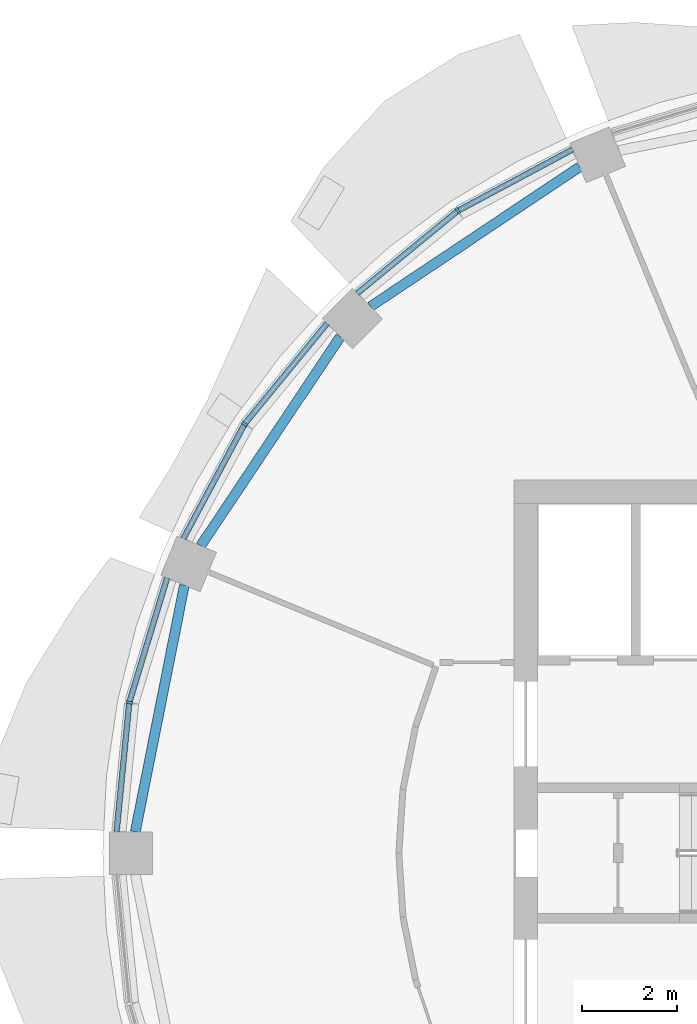
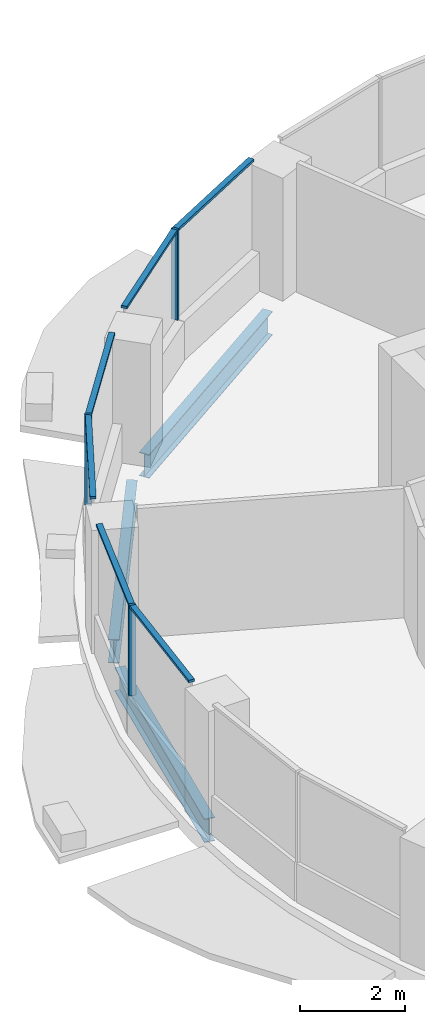
# One storey, part 4 of 15: 9 members, 3 beams, 3 elements without a shape of their own.
"""IFC4 building model written with IfcOpenShell, lengths in metres."""

from ifc_helpers import new_model, si_unit, direction, frame, origin, origin_2d, place, context, subcontext, project, spatial, rectangle, i_section, extrude, material, material_profile, profile_set, type_object, element, aggregate, save


model = new_model("IFC4")

# Units and contexts
model_context = context("Model", 3, precision=1e-05, world=origin(), true_north=direction((0.0, 1.0)))
body_context = subcontext(model_context, "Body", "Model", "MODEL_VIEW")
ifc_project = project(units=[si_unit("LENGTHUNIT", "METRE"), si_unit("AREAUNIT", "SQUARE_METRE"), si_unit("VOLUMEUNIT", "CUBIC_METRE"), si_unit("PLANEANGLEUNIT", "RADIAN"), si_unit("MASSUNIT", "GRAM", prefix="KILO")], contexts=[model_context])

# Site, building, storey
site_placement = place(None, origin())
site = spatial("IfcSite", under=ifc_project, at=site_placement, CompositionType="ELEMENT")
building_placement = place(site_placement, origin())
building = spatial("IfcBuilding", under=site, at=building_placement, Name="Polderwave Tower", CompositionType="ELEMENT")
storey_placement = place(building_placement, frame((0.0, 0.0, 211.10009765625)))
storey = spatial("IfcBuildingStorey", under=building, at=storey_placement, Name="L57", CompositionType="ELEMENT", Elevation=211.10009765625)

# Curtain wall, member
ifc_material_1 = material(Name="Aluminium 6063-T6 and glass", Category="aluminium")
curtain_wall_type = type_object("IfcCurtainWallType", Name="Office ribbon glazing wall", PredefinedType="NOTDEFINED", material=ifc_material_1)
curtain_wall_1_placement = place(storey_placement, origin())
curtain_wall_1 = element("IfcCurtainWall", 1, at=curtain_wall_1_placement, inside=storey, type_object=curtain_wall_type, Name="CW3 L57 05", PredefinedType="NOTDEFINED")
ifc_material_2 = material(Name="Aluminium 6063-T6", Category="aluminium")
ifc_material_profile_1 = material_profile(ifc_material_2, rectangle(XDim=0.139892578125, YDim=0.054931640625, at=origin_2d()), Name="AL 55x140")
ifc_profile_set_1 = profile_set([ifc_material_profile_1], Name="Aluminium 6063-T6")
member_type_1 = type_object("IfcMemberType", Name="Office ribbon glazing mullion 55x140", PredefinedType="MULLION", material=ifc_profile_set_1)
member_1_placement = place(storey_placement, frame((-9.055908203125, 13.552978515625, 0.89990234375), z_axis=(0.0, 0.0, 1.0), x_axis=(0.555592000653, -0.831455067223, 0.0)))
member_1 = element("IfcMember", 2, at=member_1_placement, type_object=member_type_1, Name="CW3 mullion 1", PredefinedType="MULLION", context=body_context, shape_type="SweptSolid", body=[
    extrude(rectangle(XDim=0.139892578125, YDim=0.054931640625, at=origin_2d()), origin(), (0.0, 0.0, 1.0), 2.10009765625),
])

curtain_wall_2_placement = place(storey_placement, origin())
curtain_wall_2 = element("IfcCurtainWall", 3, at=curtain_wall_2_placement, inside=storey, type_object=curtain_wall_type, Name="CW3 L57 06", PredefinedType="NOTDEFINED")
member_2_placement = place(storey_placement, frame((-13.552978515625, 9.055908203125, 0.89990234375), z_axis=(0.0, 0.0, 1.0), x_axis=(0.831455067223, -0.555592000653, 0.0)))
member_2 = element("IfcMember", 4, at=member_2_placement, type_object=member_type_1, Name="CW3 mullion 1", PredefinedType="MULLION", context=body_context, shape_type="SweptSolid", body=[
    extrude(rectangle(XDim=0.139892578125, YDim=0.054931640625, at=origin_2d()), origin(), (0.0, 0.0, 1.0), 2.10009765625),
])

curtain_wall_3_placement = place(storey_placement, origin())
curtain_wall_3 = element("IfcCurtainWall", 5, at=curtain_wall_3_placement, inside=storey, type_object=curtain_wall_type, Name="CW3 L57 07", PredefinedType="NOTDEFINED")
member_3_placement = place(storey_placement, frame((-15.987060546875, 3.179931640625, 0.89990234375), z_axis=(0.0, 0.0, 1.0), x_axis=(0.980756668128, -0.195234110551, 0.0)))
member_3 = element("IfcMember", 6, at=member_3_placement, type_object=member_type_1, Name="CW3 mullion 1", PredefinedType="MULLION", context=body_context, shape_type="SweptSolid", body=[
    extrude(rectangle(XDim=0.139892578125, YDim=0.054931640625, at=origin_2d()), origin(), (0.0, 0.0, 1.0), 2.10009765625),
])

# Member
ifc_material_profile_2 = material_profile(ifc_material_2, rectangle(XDim=0.1201171875, YDim=0.06005859375, at=origin_2d()), Name="AL 60x120")
ifc_profile_set_2 = profile_set([ifc_material_profile_2], Name="Aluminium 6063-T6")
member_type_2 = type_object("IfcMemberType", Name="Office ribbon glazing transom 60x120", PredefinedType="USERDEFINED", material=ifc_profile_set_2)
member_4_placement = place(storey_placement, frame((-6.636962890625, 14.845947265625, 2.969970703125), z_axis=(-0.88192200192, -0.471395356924, 0.0), x_axis=(0.471395356924, -0.88192200192, 0.0)))
member_4 = element("IfcMember", 7, at=member_4_placement, type_object=member_type_2, Name="CW3 transom 1", ObjectType="TRANSOM", PredefinedType="USERDEFINED", context=body_context, shape_type="SweptSolid", body=[
    extrude(rectangle(XDim=0.1201171875, YDim=0.06005859375, at=origin_2d()), origin(), (0.0, 0.0, 1.0), 2.71533203125),
])

member_5_placement = place(storey_placement, frame((-9.077392578125, 13.53564453125, 2.969970703125), z_axis=(-0.772946726022, -0.634470928201, 0.0), x_axis=(0.634470928201, -0.772946726022, 0.0)))
member_5 = element("IfcMember", 8, at=member_5_placement, type_object=member_type_2, Name="CW3 transom 2", ObjectType="TRANSOM", PredefinedType="USERDEFINED", context=body_context, shape_type="SweptSolid", body=[
    extrude(rectangle(XDim=0.1201171875, YDim=0.06005859375, at=origin_2d()), origin(), (0.0, 0.0, 1.0), 2.715087890625),
])

aggregate(curtain_wall_1, [member_1, member_4, member_5])

member_6_placement = place(storey_placement, frame((-11.81298828125, 11.176025390625, 2.969970703125), z_axis=(-0.634470928201, -0.772946726022, 0.0), x_axis=(0.772946726022, -0.634470928201, 0.0)))
member_6 = element("IfcMember", 9, at=member_6_placement, type_object=member_type_2, Name="CW3 transom 1", ObjectType="TRANSOM", PredefinedType="USERDEFINED", context=body_context, shape_type="SweptSolid", body=[
    extrude(rectangle(XDim=0.1201171875, YDim=0.06005859375, at=origin_2d()), origin(), (0.0, 0.0, 1.0), 2.715087890625),
])

member_7_placement = place(storey_placement, frame((-13.56591796875, 9.03173828125, 2.969970703125), z_axis=(-0.471395356924, -0.88192200192, 0.0), x_axis=(0.88192200192, -0.471395356924, 0.0)))
member_7 = element("IfcMember", 10, at=member_7_placement, type_object=member_type_2, Name="CW3 transom 2", ObjectType="TRANSOM", PredefinedType="USERDEFINED", context=body_context, shape_type="SweptSolid", body=[
    extrude(rectangle(XDim=0.1201171875, YDim=0.06005859375, at=origin_2d()), origin(), (0.0, 0.0, 1.0), 2.71533203125),
])

aggregate(curtain_wall_2, [member_2, member_6, member_7])

member_8_placement = place(storey_placement, frame((-15.18994140625, 5.804931640625, 2.969970703125), z_axis=(-0.290546276121, -0.956860941533, 0.0), x_axis=(0.956860941533, -0.290546276121, 0.0)))
member_8 = element("IfcMember", 11, at=member_8_placement, type_object=member_type_2, Name="CW3 transom 1", ObjectType="TRANSOM", PredefinedType="USERDEFINED", context=body_context, shape_type="SweptSolid", body=[
    extrude(rectangle(XDim=0.1201171875, YDim=0.06005859375, at=origin_2d()), origin(), (0.0, 0.0, 1.0), 2.7158203125),
])

member_9_placement = place(storey_placement, frame((-15.98974609375, 3.152587890625, 2.969970703125), z_axis=(-0.09807947932, -0.995178584846, 0.0), x_axis=(0.995178584846, -0.09807947932, 0.0)))
member_9 = element("IfcMember", 12, at=member_9_placement, type_object=member_type_2, Name="CW3 transom 2", ObjectType="TRANSOM", PredefinedType="USERDEFINED", context=body_context, shape_type="SweptSolid", body=[
    extrude(rectangle(XDim=0.1201171875, YDim=0.06005859375, at=origin_2d()), origin(), (0.0, 0.0, 1.0), 2.7158203125),
])

aggregate(curtain_wall_3, [member_3, member_8, member_9])

# Beams
ifc_material_3 = material(Name="Steel S355", Category="steel")
ifc_material_profile_3 = material_profile(ifc_material_3, i_section(OverallWidth=0.2099609375, OverallDepth=0.550048828125, WebThickness=0.010986328125, FlangeThickness=0.01708984375, at=origin_2d()), Name="IPE 550")
ifc_profile_set_3 = profile_set([ifc_material_profile_3], Name="Steel S355")
beam_type = type_object("IfcBeamType", Name="RING BEAM IPE 550", PredefinedType="BEAM", material=ifc_profile_set_3)
for number, where, z_axis, x_axis, name in (
    (13, (-6.4853515625, 14.48095703125, -0.625), (-0.831469356963, -0.555570615162, 0.0), (0.555570615162, -0.831469356963, 0.0), "ST-RB-L57-05"),
    (14, (-11.533203125, 10.89697265625, -0.625), (-0.555570615162, -0.831469356963, 0.0), (0.831469356963, -0.555570615162, 0.0), "ST-RB-L57-06"),
    (15, (-14.825439453125, 5.65380859375, -0.625), (-0.195098417144, -0.980783670147, 0.0), (0.980783670147, -0.195098417144, 0.0), "ST-RB-L57-07"),
):
    element("IfcBeam", number, at=place(storey_placement, frame(where, z_axis=z_axis, x_axis=x_axis)), inside=storey, type_object=beam_type, Name=name, PredefinedType="BEAM", context=body_context, shape_type="SweptSolid", body=[
        extrude(i_section(OverallWidth=0.2099609375, OverallDepth=0.550048828125, WebThickness=0.010986328125, FlangeThickness=0.01708984375, at=origin_2d()), origin(), (0.0, 0.0, 1.0), 5.305908203125),
    ])

save(model, "model.ifc")
